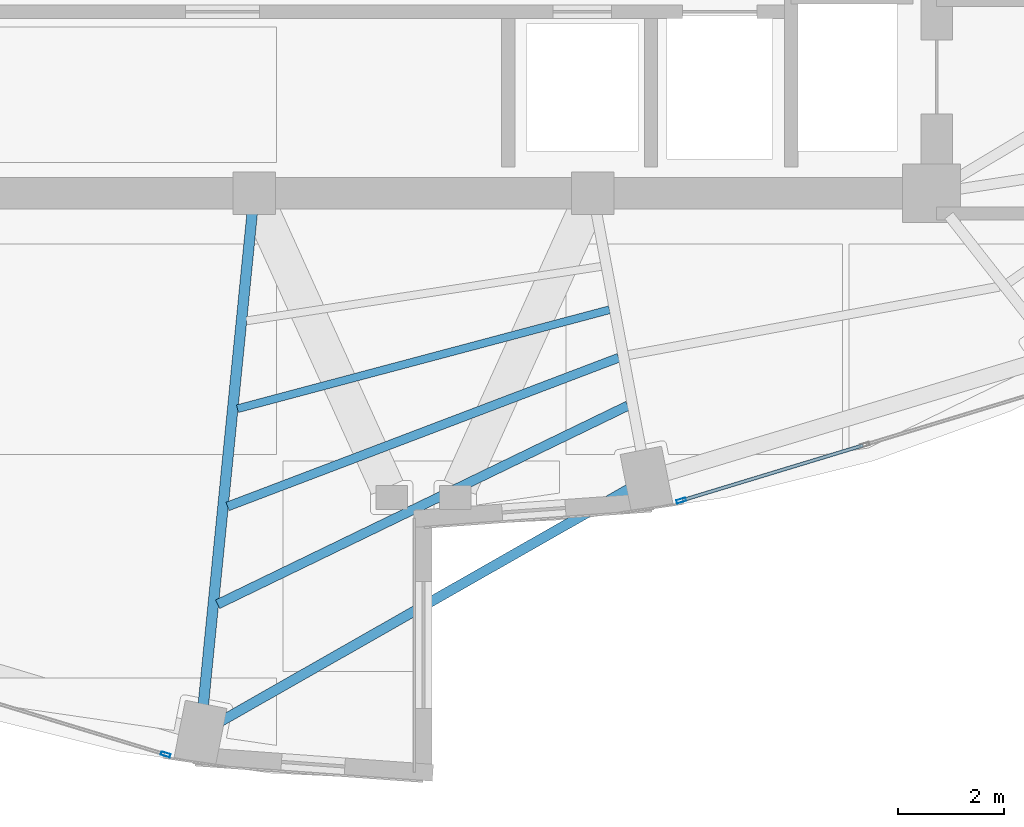
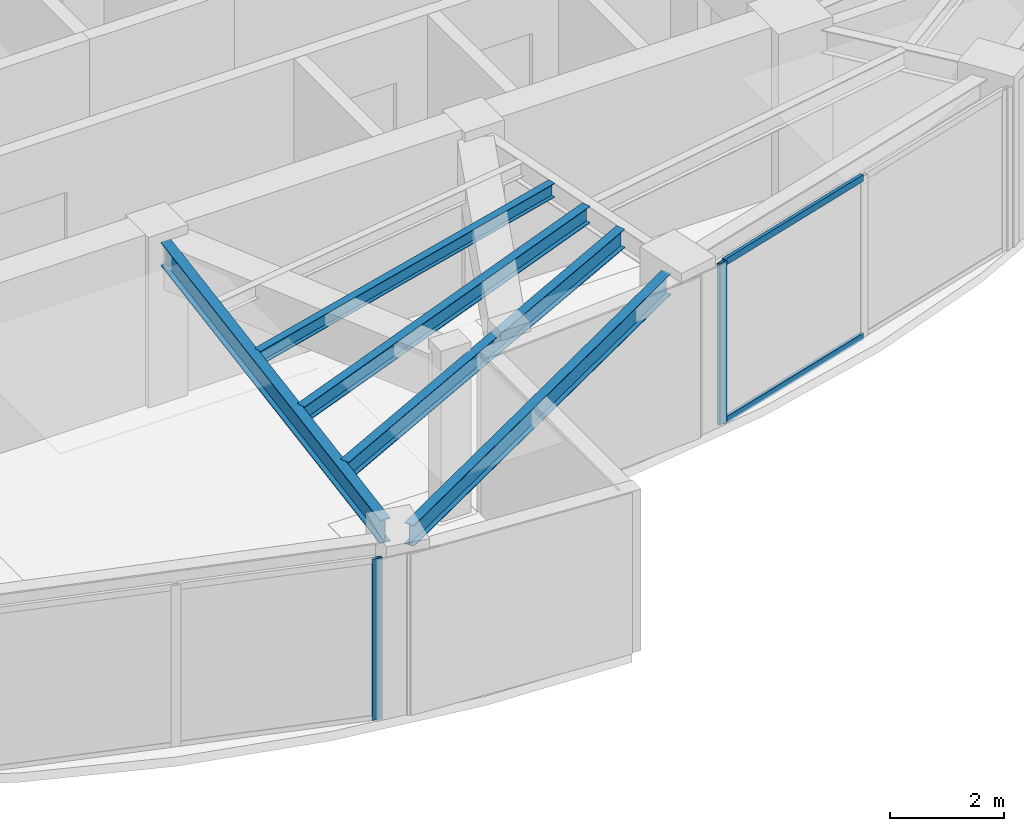
# One storey, part 4 of 21: 5 beams, 4 members, 2 elements without a shape of their own.
"""IFC4 building model written with IfcOpenShell, lengths in metres."""

from ifc_helpers import new_model, si_unit, direction, frame, origin, origin_2d, place, context, subcontext, project, spatial, hollow_rectangle, i_section, extrude, material, layer, layer_set, material_profile, profile_set, type_object, element, aggregate, save


model = new_model("IFC4")

# Units and contexts
model_context = context("Model", 3, precision=1e-05, world=origin(), true_north=direction((0.0, 1.0)))
body_context = subcontext(model_context, "Body", "Model", "MODEL_VIEW")
ifc_project = project(units=[si_unit("LENGTHUNIT", "METRE"), si_unit("AREAUNIT", "SQUARE_METRE"), si_unit("VOLUMEUNIT", "CUBIC_METRE"), si_unit("PLANEANGLEUNIT", "RADIAN"), si_unit("MASSUNIT", "GRAM", prefix="KILO")], contexts=[model_context])

# Site, building, storey
site_placement = place(None, origin())
site = spatial("IfcSite", under=ifc_project, at=site_placement, CompositionType="ELEMENT")
building_placement = place(site_placement, origin())
building = spatial("IfcBuilding", under=site, at=building_placement, Name="Lazwardi Medical Tower", CompositionType="ELEMENT")
storey_placement = place(building_placement, frame((0.0, 0.0, 220.367919921875)))
storey = spatial("IfcBuildingStorey", under=building, at=storey_placement, Name="L57", CompositionType="ELEMENT", Elevation=220.367919921875)

# Beams
ifc_material_1 = material(Name="Steel S355", Category="steel")
ifc_material_profile_1 = material_profile(ifc_material_1, i_section(OverallWidth=0.199951171875, OverallDepth=0.5, WebThickness=0.01025390625, FlangeThickness=0.01611328125, at=origin_2d()), Name="IPE 500")
ifc_profile_set_1 = profile_set([ifc_material_profile_1], Name="Steel S355")
beam_type_1 = type_object("IfcBeamType", Name="BM-RG-W3", PredefinedType="BEAM", material=ifc_profile_set_1)
beam_1_placement = place(storey_placement, frame((31.8388671875, 10.734130859375, 3.197998046875), z_axis=(0.098954361922, 0.995091972763, 0.0), x_axis=(-0.995091972763, 0.098954361922, 0.0)))
element("IfcBeam", 1, at=beam_1_placement, inside=storey, type_object=beam_type_1, Name="Radial girder RG-04 R16 L57", PredefinedType="BEAM", context=body_context, shape_type="SweptSolid", body=[
    extrude(i_section(OverallWidth=0.199951171875, OverallDepth=0.5, WebThickness=0.01025390625, FlangeThickness=0.01611328125, at=origin_2d()), origin(), (0.0, 0.0, 1.0), 9.32861328125),
])
ifc_material_profile_2 = material_profile(ifc_material_1, i_section(OverallWidth=0.179931640625, OverallDepth=0.39990234375, WebThickness=0.008544921875, FlangeThickness=0.013427734375, at=origin_2d()), Name="IPE 400")
ifc_profile_set_2 = profile_set([ifc_material_profile_2], Name="Steel S355")
beam_type_2 = type_object("IfcBeamType", Name="BM-SJ-01", PredefinedType="JOIST", material=ifc_profile_set_2)
beam_2_placement = place(storey_placement, frame((32.10888671875, 12.632080078125, 3.248046875), z_axis=(0.900068885459, 0.435747635024, 0.0), x_axis=(-0.435747635024, 0.900068885459, 0.0)))
element("IfcBeam", 2, at=beam_2_placement, inside=storey, type_object=beam_type_2, Name="Secondary joist SJ-01 R1 B16 L57", PredefinedType="JOIST", context=body_context, shape_type="SweptSolid", body=[
    extrude(i_section(OverallWidth=0.179931640625, OverallDepth=0.39990234375, WebThickness=0.008544921875, FlangeThickness=0.013427734375, at=origin_2d()), origin(), (0.0, 0.0, 1.0), 8.612548828125),
])
ifc_material_profile_3 = material_profile(ifc_material_1, i_section(OverallWidth=0.169921875, OverallDepth=0.360107421875, WebThickness=0.008056640625, FlangeThickness=0.0126953125, at=origin_2d()), Name="IPE 360")
ifc_profile_set_3 = profile_set([ifc_material_profile_3], Name="Steel S355")
beam_type_3 = type_object("IfcBeamType", Name="BM-SJ-02", PredefinedType="JOIST", material=ifc_profile_set_3)
beam_3_placement = place(storey_placement, frame((32.296875, 14.48095703125, 3.26806640625), z_axis=(0.934714470268, 0.355399576633, 0.0), x_axis=(-0.355399576633, 0.934714470268, 0.0)))
element("IfcBeam", 3, at=beam_3_placement, inside=storey, type_object=beam_type_3, Name="Secondary joist SJ-02 R2 B16 L57", PredefinedType="JOIST", context=body_context, shape_type="SweptSolid", body=[
    extrude(i_section(OverallWidth=0.169921875, OverallDepth=0.360107421875, WebThickness=0.008056640625, FlangeThickness=0.0126953125, at=origin_2d()), origin(), (0.0, 0.0, 1.0), 7.908203125),
])
ifc_material_profile_4 = material_profile(ifc_material_1, i_section(OverallWidth=0.14990234375, OverallDepth=0.300048828125, WebThickness=0.007080078125, FlangeThickness=0.0107421875, at=origin_2d()), Name="IPE 300")
ifc_profile_set_4 = profile_set([ifc_material_profile_4], Name="Steel S355")
beam_type_4 = type_object("IfcBeamType", Name="BM-SJ-03", PredefinedType="JOIST", material=ifc_profile_set_4)
beam_4_placement = place(storey_placement, frame((32.484619140625, 16.328125, 3.298095703125), z_axis=(0.966369007826, 0.257159368316, 0.0), x_axis=(-0.257159368316, 0.966369007826, 0.0)))
element("IfcBeam", 4, at=beam_4_placement, inside=storey, type_object=beam_type_4, Name="Secondary joist SJ-03 R3 B16 L57", PredefinedType="JOIST", context=body_context, shape_type="SweptSolid", body=[
    extrude(i_section(OverallWidth=0.14990234375, OverallDepth=0.300048828125, WebThickness=0.007080078125, FlangeThickness=0.0107421875, at=origin_2d()), origin(), (0.0, 0.0, 1.0), 7.27685546875),
])
ifc_material_profile_5 = material_profile(ifc_material_1, i_section(OverallWidth=0.18994140625, OverallDepth=0.449951171875, WebThickness=0.009521484375, FlangeThickness=0.0146484375, at=origin_2d()), Name="IPE 450")
ifc_profile_set_5 = profile_set([ifc_material_profile_5], Name="Steel S355")
beam_type_5 = type_object("IfcBeamType", Name="BM-SP-01", PredefinedType="SPANDREL", material=ifc_profile_set_5)
beam_5_placement = place(storey_placement, frame((32.125, 10.394775390625, 3.22314453125), z_axis=(0.868954808466, 0.494891443494, 0.0), x_axis=(-0.494891443494, 0.868954808466, 0.0)))
element("IfcBeam", 5, at=beam_5_placement, inside=storey, type_object=beam_type_5, Name="Spandrel beam SP-01 B16 L57", PredefinedType="SPANDREL", context=body_context, shape_type="SweptSolid", body=[
    extrude(i_section(OverallWidth=0.18994140625, OverallDepth=0.449951171875, WebThickness=0.009521484375, FlangeThickness=0.0146484375, at=origin_2d()), origin(), (0.0, 0.0, 1.0), 8.918701171875),
])

# Curtain wall, member
ifc_material_2 = material(Name="Anodised bronze aluminium and solar control glazing", Category="aluminium")
ifc_layer = layer(ifc_material_2, 0.18994140625)
ifc_layer_set = layer_set([ifc_layer], Name="Anodised bronze aluminium and solar control glazing")
curtain_wall_type = type_object("IfcCurtainWallType", Name="CW-SYS-04", PredefinedType="NOTDEFINED", material=ifc_layer_set)
curtain_wall_1_placement = place(storey_placement, origin())
curtain_wall_1 = element("IfcCurtainWall", 6, at=curtain_wall_1_placement, inside=storey, type_object=curtain_wall_type, Name="L57 Unitised bronze curtain wall CW-04", PredefinedType="NOTDEFINED")
ifc_material_3 = material(Name="Anodised bronze aluminium", Category="aluminium")
ifc_material_profile_6 = material_profile(ifc_material_3, hollow_rectangle(XDim=0.06494140625, YDim=0.179931640625, WallThickness=0.00390625, at=origin_2d()), Name="ALU-MULLION 180x65x4")
ifc_profile_set_6 = profile_set([ifc_material_profile_6], Name="Anodised bronze aluminium")
member_type_1 = type_object("IfcMemberType", Name="CW-MUL-03", PredefinedType="MULLION", material=ifc_profile_set_6)
member_1_placement = place(storey_placement, frame((40.873046875, 14.593017578125, 0.0), z_axis=(0.0, 0.0, 1.0), x_axis=(-0.290581889515, 0.956850126972, 0.0)))
member_1 = element("IfcMember", 7, at=member_1_placement, type_object=member_type_1, Name="CW-04 mullion 1", PredefinedType="MULLION", context=body_context, shape_type="SweptSolid", body=[
    extrude(hollow_rectangle(XDim=0.06494140625, YDim=0.179931640625, WallThickness=0.00390625, at=origin_2d()), origin(), (0.0, 0.0, 1.0), 3.447998046875),
])

curtain_wall_2_placement = place(storey_placement, origin())
curtain_wall_2 = element("IfcCurtainWall", 8, at=curtain_wall_2_placement, inside=storey, type_object=curtain_wall_type, Name="L57 Unitised bronze curtain wall CW-04", PredefinedType="NOTDEFINED")
member_2_placement = place(storey_placement, frame((31.126953125, 9.79296875, 0.0), z_axis=(0.0, 0.0, 1.0), x_axis=(0.290581889515, 0.956850126972, 0.0)))
member_2 = element("IfcMember", 9, at=member_2_placement, type_object=member_type_1, Name="CW-04 mullion 3", PredefinedType="MULLION", context=body_context, shape_type="SweptSolid", body=[
    extrude(hollow_rectangle(XDim=0.06494140625, YDim=0.179931640625, WallThickness=0.00390625, at=origin_2d()), origin(), (0.0, 0.0, 1.0), 3.447998046875),
])
aggregate(curtain_wall_2, [member_2])

# Member
ifc_material_profile_7 = material_profile(ifc_material_3, hollow_rectangle(XDim=0.06494140625, YDim=0.139892578125, WallThickness=0.00341796875, at=origin_2d()), Name="ALU-TRANSOM 140x65x3.5")
ifc_profile_set_7 = profile_set([ifc_material_profile_7], Name="Anodised bronze aluminium")
member_type_2 = type_object("IfcMemberType", Name="CW-TRN-03", PredefinedType="USERDEFINED", material=ifc_profile_set_7)
member_3_placement = place(storey_placement, frame((40.904296875, 14.602294921875, 0.032470703125), z_axis=(0.956843409009, 0.290604010015, 0.0), x_axis=(-0.290604010015, 0.956843409009, 0.0)))
member_3 = element("IfcMember", 10, at=member_3_placement, type_object=member_type_2, Name="CW-04 transom 1.1", ObjectType="TRANSOM", PredefinedType="USERDEFINED", context=body_context, shape_type="SweptSolid", body=[
    extrude(hollow_rectangle(XDim=0.06494140625, YDim=0.139892578125, WallThickness=0.00341796875, at=origin_2d()), origin(), (0.0, 0.0, 1.0), 3.554443359375),
])

member_4_placement = place(storey_placement, frame((40.904296875, 14.602294921875, 3.41552734375), z_axis=(0.956843409009, 0.290604010015, 0.0), x_axis=(-0.290604010015, 0.956843409009, 0.0)))
member_4 = element("IfcMember", 11, at=member_4_placement, type_object=member_type_2, Name="CW-04 transom 1.2", ObjectType="TRANSOM", PredefinedType="USERDEFINED", context=body_context, shape_type="SweptSolid", body=[
    extrude(hollow_rectangle(XDim=0.06494140625, YDim=0.139892578125, WallThickness=0.00341796875, at=origin_2d()), origin(), (0.0, 0.0, 1.0), 3.554443359375),
])

aggregate(curtain_wall_1, [member_1, member_3, member_4])

save(model, "model.ifc")
